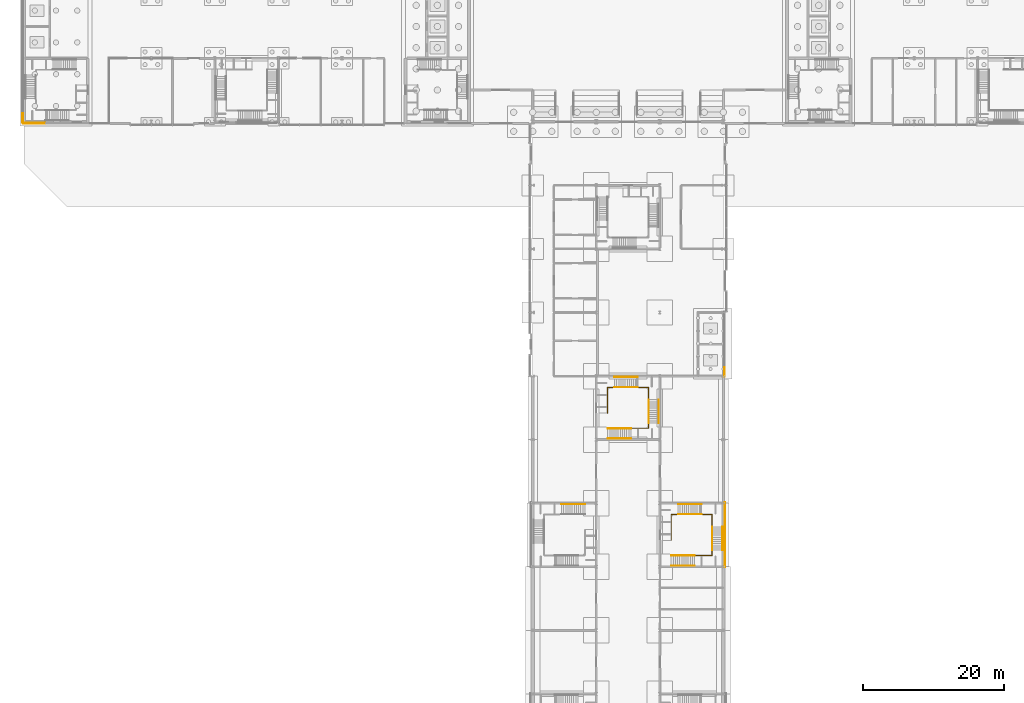
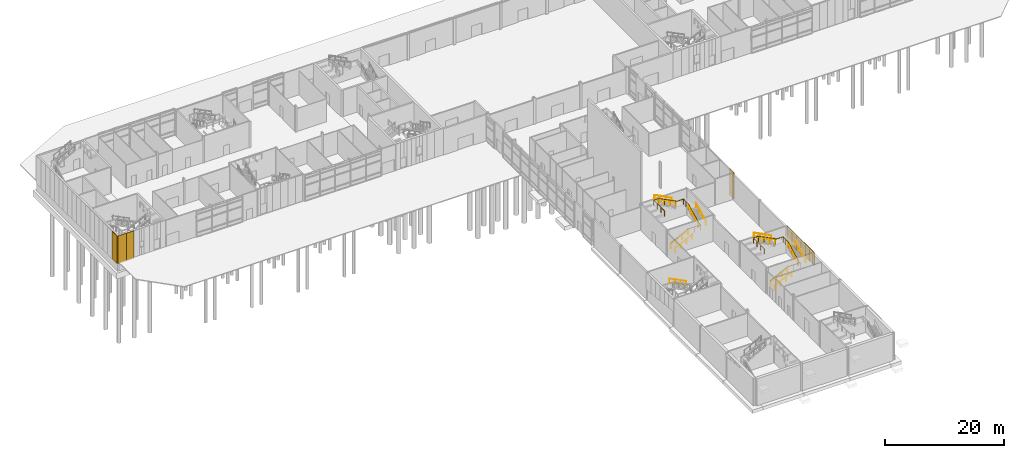
# One storey, part 38 of 45: 15 railings, 10 coverings.
"""IFC4 building model written with IfcOpenShell, lengths in metres."""

from ifc_helpers import new_model, si_unit, direction, frame, origin, origin_2d, place, context, subcontext, project, spatial, rectangle, circle, extrude, material, layer, layer_set, type_object, element, save


model = new_model("IFC4")

# Units and contexts
model_context = context("Model", 3, precision=1e-05, world=origin(), true_north=direction((0.0, 1.0)))
body_context = subcontext(model_context, "Body", "Model", "MODEL_VIEW")
ifc_project = project(units=[si_unit("LENGTHUNIT", "METRE"), si_unit("AREAUNIT", "SQUARE_METRE"), si_unit("VOLUMEUNIT", "CUBIC_METRE"), si_unit("PLANEANGLEUNIT", "RADIAN"), si_unit("MASSUNIT", "GRAM", prefix="KILO")], contexts=[model_context])

# Site, building, storey
site_placement = place(None, origin())
site = spatial("IfcSite", under=ifc_project, at=site_placement, CompositionType="ELEMENT")
building_placement = place(site_placement, origin())
building = spatial("IfcBuilding", under=site, at=building_placement, Name="Azimuth Sports and Learning Centre", CompositionType="ELEMENT")
storey_placement = place(building_placement, origin())
storey = spatial("IfcBuildingStorey", under=building, at=storey_placement, Name="L00", CompositionType="ELEMENT", Elevation=0.0)

# Coverings
ifc_material_1 = material(Name="Cladding panel")
ifc_layer = layer(ifc_material_1, 0.10009765625)
ifc_layer_set = layer_set([ifc_layer], Name="Cladding panel")
covering_type = type_object("IfcCoveringType", Name="Cladding panel 100", PredefinedType="CLADDING", material=ifc_layer_set)
covering_1_placement = place(storey_placement, frame((0.675048828125, 89.800048828125, -0.2998046875), z_axis=(0.0, 0.0, 1.0), x_axis=(1.0, 0.0, 0.0)))
element("IfcCovering", 1, at=covering_1_placement, inside=storey, type_object=covering_type, Name="Cladding panel S-END W L00 1", PredefinedType="CLADDING", context=body_context, shape_type="SweptSolid", body=[
    extrude(rectangle(XDim=1.64990234375, YDim=0.10009765625, at=origin_2d()), origin(), (0.0, 0.0, 1.0), 5.699951171875),
])
covering_2_placement = place(storey_placement, frame((2.25, 89.800048828125, -0.2998046875), z_axis=(0.0, 0.0, 1.0), x_axis=(1.0, 0.0, 0.0)))
element("IfcCovering", 2, at=covering_2_placement, inside=storey, type_object=covering_type, Name="Cladding panel S-END W L00 2", PredefinedType="CLADDING", context=body_context, shape_type="SweptSolid", body=[
    extrude(rectangle(XDim=1.5, YDim=0.10009765625, at=origin_2d()), origin(), (0.0, 0.0, 1.0), 5.699951171875),
])
covering_3_placement = place(storey_placement, frame((99.22509765625, 27.699951171875, 2.7099609375), z_axis=(0.0, 0.0, 1.0), x_axis=(0.0, 1.0, 0.0)))
element("IfcCovering", 3, at=covering_3_placement, inside=storey, type_object=covering_type, Name="Cladding panel E-ST4 L00 1", PredefinedType="CLADDING", context=body_context, shape_type="SweptSolid", body=[
    extrude(rectangle(XDim=1.60009765625, YDim=0.10009765625, at=origin_2d()), origin(), (0.0, 0.0, 1.0), 2.5400390625),
])
covering_4_placement = place(storey_placement, frame((99.22509765625, 29.25, 2.5498046875), z_axis=(0.0, 0.0, 1.0), x_axis=(0.0, 1.0, 0.0)))
element("IfcCovering", 4, at=covering_4_placement, inside=storey, type_object=covering_type, Name="Cladding panel E-ST4 L00 2", PredefinedType="CLADDING", context=body_context, shape_type="SweptSolid", body=[
    extrude(rectangle(XDim=1.5, YDim=0.10009765625, at=origin_2d()), origin(), (0.0, 0.0, 1.0), 2.699951171875),
])
covering_5_placement = place(storey_placement, frame((99.22509765625, 30.75, 2.39990234375), z_axis=(0.0, 0.0, 1.0), x_axis=(0.0, 1.0, 0.0)))
element("IfcCovering", 5, at=covering_5_placement, inside=storey, type_object=covering_type, Name="Cladding panel E-ST4 L00 3", PredefinedType="CLADDING", context=body_context, shape_type="SweptSolid", body=[
    extrude(rectangle(XDim=1.5, YDim=0.10009765625, at=origin_2d()), origin(), (0.0, 0.0, 1.0), 2.85009765625),
])
covering_6_placement = place(storey_placement, frame((99.22509765625, 32.25, 2.25), z_axis=(0.0, 0.0, 1.0), x_axis=(0.0, 1.0, 0.0)))
element("IfcCovering", 6, at=covering_6_placement, inside=storey, type_object=covering_type, Name="Cladding panel E-ST4 L00 4", PredefinedType="CLADDING", context=body_context, shape_type="SweptSolid", body=[
    extrude(rectangle(XDim=1.5, YDim=0.10009765625, at=origin_2d()), origin(), (0.0, 0.0, 1.0), 3.0),
])
covering_7_placement = place(storey_placement, frame((99.22509765625, 33.75, 2.10009765625), z_axis=(0.0, 0.0, 1.0), x_axis=(0.0, 1.0, 0.0)))
element("IfcCovering", 7, at=covering_7_placement, inside=storey, type_object=covering_type, Name="Cladding panel E-ST4 L00 5", PredefinedType="CLADDING", context=body_context, shape_type="SweptSolid", body=[
    extrude(rectangle(XDim=1.5, YDim=0.10009765625, at=origin_2d()), origin(), (0.0, 0.0, 1.0), 3.14990234375),
])
covering_8_placement = place(storey_placement, frame((99.22509765625, 35.300048828125, 1.9501953125), z_axis=(0.0, 0.0, 1.0), x_axis=(0.0, 1.0, 0.0)))
element("IfcCovering", 8, at=covering_8_placement, inside=storey, type_object=covering_type, Name="Cladding panel E-ST4 L00 6", PredefinedType="CLADDING", context=body_context, shape_type="SweptSolid", body=[
    extrude(rectangle(XDim=1.60009765625, YDim=0.10009765625, at=origin_2d()), origin(), (0.0, 0.0, 1.0), 3.300048828125),
])
covering_9_placement = place(storey_placement, frame((99.14990234375, 54.699951171875, 0.0), z_axis=(0.0, 0.0, 1.0), x_axis=(0.0, 1.0, 0.0)))
element("IfcCovering", 9, at=covering_9_placement, inside=storey, type_object=covering_type, Name="Cladding panel E-STL L00 1", PredefinedType="CLADDING", context=body_context, shape_type="SweptSolid", body=[
    extrude(rectangle(XDim=1.60009765625, YDim=0.10009765625, at=origin_2d()), origin(), (0.0, 0.0, 1.0), 5.39990234375),
])
covering_10_placement = place(storey_placement, frame((-0.199951171875, 90.675048828125, -0.2998046875), z_axis=(0.0, 0.0, 1.0), x_axis=(0.0, -1.0, 0.0)))
element("IfcCovering", 10, at=covering_10_placement, inside=storey, type_object=covering_type, Name="Cladding panel W-END W L00 18", PredefinedType="CLADDING", context=body_context, shape_type="SweptSolid", body=[
    extrude(rectangle(XDim=1.64990234375, YDim=0.10009765625, at=origin_2d()), origin(), (0.0, 0.0, 1.0), 5.699951171875),
])

# Railings
ifc_material_2 = material(Name="Stainless steel", Category="steel")
railing_type_1 = type_object("IfcRailingType", Name="Stair guard 1100", PredefinedType="GUARDRAIL", material=ifc_material_2)
railing_1_placement = place(storey_placement, frame((91.610107421875, 28.610107421875, 0.14990234375)))
element("IfcRailing", 11, at=railing_1_placement, inside=storey, type_object=railing_type_1, Name="Guard ST4 L00 well", PredefinedType="GUARDRAIL", context=body_context, shape_type="SweptSolid", body=[
    extrude(circle(Radius=0.02392578125, at=origin_2d()), frame((0.0, 0.0, 1.076171875), z_axis=(0.894400720042, 0.0, 0.447266533499), x_axis=(0.0, 1.0, 0.0)), (0.0, 0.0, 1.0), 3.689453125),
    extrude(circle(Radius=0.02392578125, at=origin_2d()), frame((3.2998046875, 0.0, 2.72607421875), z_axis=(1.0, 0.0, 0.0), x_axis=(0.0, 1.0, 0.0)), (0.0, 0.0, 1.0), 2.47998046875),
    extrude(circle(Radius=0.02392578125, at=origin_2d()), frame((5.77978515625, 0.0, 2.72607421875), z_axis=(0.0, 1.0, 0.0), x_axis=(-1.0, 0.0, 0.0)), (0.0, 0.0, 1.0), 0.75),
    extrude(circle(Radius=0.02392578125, at=origin_2d()), frame((5.77978515625, 0.75, 2.72607421875), z_axis=(0.0, 0.0, 1.0), x_axis=(1.0, 0.0, 0.0)), (0.0, 0.0, 1.0), 0.14990234375),
    extrude(circle(Radius=0.02392578125, at=origin_2d()), frame((5.77978515625, 0.75, 2.8759765625), z_axis=(0.0, 0.894400720042, 0.447266533499), x_axis=(-1.0, 0.0, 0.0)), (0.0, 0.0, 1.0), 3.689453125),
    extrude(circle(Radius=0.02392578125, at=origin_2d()), frame((5.77978515625, 4.0498046875, 4.5263671875), z_axis=(0.0, 1.0, 0.0), x_axis=(-1.0, 0.0, 0.0)), (0.0, 0.0, 1.0), 1.72998046875),
    extrude(circle(Radius=0.02392578125, at=origin_2d()), frame((5.77978515625, 5.77978515625, 4.5263671875), z_axis=(-1.0, 0.0, 0.0), x_axis=(0.0, -1.0, 0.0)), (0.0, 0.0, 1.0), 1.5),
    extrude(circle(Radius=0.02392578125, at=origin_2d()), frame((4.27978515625, 5.77978515625, 4.5263671875), z_axis=(0.0, 0.0, 1.0), x_axis=(1.0, 0.0, 0.0)), (0.0, 0.0, 1.0), 0.14990234375),
    extrude(circle(Radius=0.02392578125, at=origin_2d()), frame((4.27978515625, 5.77978515625, 4.67626953125), z_axis=(-0.894427191, 0.0, 0.4472135955), x_axis=(0.0, -1.0, 0.0)), (0.0, 0.0, 1.0), 3.689208984375),
    extrude(circle(Radius=0.02392578125, at=origin_2d()), frame((0.97998046875, 5.77978515625, 6.326171875), z_axis=(-1.0, 0.0, 0.0), x_axis=(0.0, -1.0, 0.0)), (0.0, 0.0, 1.0), 0.97998046875),
    extrude(circle(Radius=0.02392578125, at=origin_2d()), frame((0.0, 5.77978515625, 6.326171875), z_axis=(0.0, -1.0, 0.0), x_axis=(1.0, 0.0, 0.0)), (0.0, 0.0, 1.0), 3.639892578125),
    extrude(circle(Radius=0.01611328125, at=origin_2d()), origin(), (0.0, 0.0, 1.0), 1.052001953125),
    extrude(circle(Radius=0.01611328125, at=origin_2d()), frame((1.099853515625, 0.0, 0.550048828125)), (0.0, 0.0, 1.0), 1.052001953125),
    extrude(circle(Radius=0.01611328125, at=origin_2d()), frame((2.199951171875, 0.0, 1.10009765625)), (0.0, 0.0, 1.0), 1.052001953125),
    extrude(circle(Radius=0.01611328125, at=origin_2d()), frame((3.2998046875, 0.0, 1.650146484375)), (0.0, 0.0, 1.0), 1.052001953125),
    extrude(circle(Radius=0.01611328125, at=origin_2d()), frame((4.539794921875, 0.0, 1.650146484375)), (0.0, 0.0, 1.0), 1.052001953125),
    extrude(circle(Radius=0.01611328125, at=origin_2d()), frame((5.77978515625, 0.0, 1.650146484375)), (0.0, 0.0, 1.0), 1.052001953125),
    extrude(circle(Radius=0.01611328125, at=origin_2d()), frame((5.77978515625, 0.75, 1.650146484375)), (0.0, 0.0, 1.0), 1.052001953125),
    extrude(circle(Radius=0.01611328125, at=origin_2d()), frame((5.77978515625, 0.75, 1.800048828125)), (0.0, 0.0, 1.0), 1.052001953125),
    extrude(circle(Radius=0.01611328125, at=origin_2d()), frame((5.77978515625, 1.849853515625, 2.35009765625)), (0.0, 0.0, 1.0), 1.052001953125),
    extrude(circle(Radius=0.01611328125, at=origin_2d()), frame((5.77978515625, 2.949951171875, 2.900146484375)), (0.0, 0.0, 1.0), 1.052001953125),
    extrude(circle(Radius=0.01611328125, at=origin_2d()), frame((5.77978515625, 4.0498046875, 3.4501953125)), (0.0, 0.0, 1.0), 1.052001953125),
    extrude(circle(Radius=0.01611328125, at=origin_2d()), frame((5.77978515625, 4.914794921875, 3.4501953125)), (0.0, 0.0, 1.0), 1.052001953125),
    extrude(circle(Radius=0.01611328125, at=origin_2d()), frame((5.77978515625, 5.77978515625, 3.4501953125)), (0.0, 0.0, 1.0), 1.052001953125),
    extrude(circle(Radius=0.01611328125, at=origin_2d()), frame((4.27978515625, 5.77978515625, 3.4501953125)), (0.0, 0.0, 1.0), 1.052001953125),
    extrude(circle(Radius=0.01611328125, at=origin_2d()), frame((4.27978515625, 5.77978515625, 3.60009765625)), (0.0, 0.0, 1.0), 1.052001953125),
    extrude(circle(Radius=0.01611328125, at=origin_2d()), frame((3.179931640625, 5.77978515625, 4.150146484375)), (0.0, 0.0, 1.0), 1.052001953125),
    extrude(circle(Radius=0.01611328125, at=origin_2d()), frame((2.079833984375, 5.77978515625, 4.699951171875)), (0.0, 0.0, 1.0), 1.052001953125),
    extrude(circle(Radius=0.01611328125, at=origin_2d()), frame((0.97998046875, 5.77978515625, 5.25)), (0.0, 0.0, 1.0), 1.052001953125),
    extrude(circle(Radius=0.01611328125, at=origin_2d()), frame((0.0, 5.77978515625, 5.25)), (0.0, 0.0, 1.0), 1.052001953125),
    extrude(circle(Radius=0.01611328125, at=origin_2d()), frame((0.0, 4.56640625, 5.25)), (0.0, 0.0, 1.0), 1.052001953125),
    extrude(circle(Radius=0.01611328125, at=origin_2d()), frame((0.0, 3.353271484375, 5.25)), (0.0, 0.0, 1.0), 1.052001953125),
    extrude(circle(Radius=0.01611328125, at=origin_2d()), frame((0.0, 2.139892578125, 5.25)), (0.0, 0.0, 1.0), 1.052001953125),
])
railing_2_placement = place(storey_placement, frame((82.610107421875, 46.610107421875, 0.14990234375)))
element("IfcRailing", 12, at=railing_2_placement, inside=storey, type_object=railing_type_1, Name="Guard STC L00 well", PredefinedType="GUARDRAIL", context=body_context, shape_type="SweptSolid", body=[
    extrude(circle(Radius=0.02392578125, at=origin_2d()), frame((0.0, 0.0, 1.076171875), z_axis=(0.894400720042, 0.0, 0.447266533499), x_axis=(0.0, 1.0, 0.0)), (0.0, 0.0, 1.0), 3.689453125),
    extrude(circle(Radius=0.02392578125, at=origin_2d()), frame((3.2998046875, 0.0, 2.72607421875), z_axis=(1.0, 0.0, 0.0), x_axis=(0.0, 1.0, 0.0)), (0.0, 0.0, 1.0), 2.47998046875),
    extrude(circle(Radius=0.02392578125, at=origin_2d()), frame((5.77978515625, 0.0, 2.72607421875), z_axis=(0.0, 1.0, 0.0), x_axis=(-1.0, 0.0, 0.0)), (0.0, 0.0, 1.0), 0.75),
    extrude(circle(Radius=0.02392578125, at=origin_2d()), frame((5.77978515625, 0.75, 2.72607421875), z_axis=(0.0, 0.0, 1.0), x_axis=(1.0, 0.0, 0.0)), (0.0, 0.0, 1.0), 0.14990234375),
    extrude(circle(Radius=0.02392578125, at=origin_2d()), frame((5.77978515625, 0.75, 2.8759765625), z_axis=(0.0, 0.894400720042, 0.447266533499), x_axis=(-1.0, 0.0, 0.0)), (0.0, 0.0, 1.0), 3.689453125),
    extrude(circle(Radius=0.02392578125, at=origin_2d()), frame((5.77978515625, 4.0498046875, 4.5263671875), z_axis=(0.0, 1.0, 0.0), x_axis=(-1.0, 0.0, 0.0)), (0.0, 0.0, 1.0), 1.72998046875),
    extrude(circle(Radius=0.02392578125, at=origin_2d()), frame((5.77978515625, 5.77978515625, 4.5263671875), z_axis=(-1.0, 0.0, 0.0), x_axis=(0.0, -1.0, 0.0)), (0.0, 0.0, 1.0), 1.5),
    extrude(circle(Radius=0.02392578125, at=origin_2d()), frame((4.27978515625, 5.77978515625, 4.5263671875), z_axis=(0.0, 0.0, 1.0), x_axis=(1.0, 0.0, 0.0)), (0.0, 0.0, 1.0), 0.14990234375),
    extrude(circle(Radius=0.02392578125, at=origin_2d()), frame((4.27978515625, 5.77978515625, 4.67626953125), z_axis=(-0.894427191, 0.0, 0.4472135955), x_axis=(0.0, -1.0, 0.0)), (0.0, 0.0, 1.0), 3.689208984375),
    extrude(circle(Radius=0.02392578125, at=origin_2d()), frame((0.97998046875, 5.77978515625, 6.326171875), z_axis=(-1.0, 0.0, 0.0), x_axis=(0.0, -1.0, 0.0)), (0.0, 0.0, 1.0), 0.97998046875),
    extrude(circle(Radius=0.02392578125, at=origin_2d()), frame((0.0, 5.77978515625, 6.326171875), z_axis=(0.0, -1.0, 0.0), x_axis=(1.0, 0.0, 0.0)), (0.0, 0.0, 1.0), 3.639892578125),
    extrude(circle(Radius=0.01611328125, at=origin_2d()), origin(), (0.0, 0.0, 1.0), 1.052001953125),
    extrude(circle(Radius=0.01611328125, at=origin_2d()), frame((1.099853515625, 0.0, 0.550048828125)), (0.0, 0.0, 1.0), 1.052001953125),
    extrude(circle(Radius=0.01611328125, at=origin_2d()), frame((2.199951171875, 0.0, 1.10009765625)), (0.0, 0.0, 1.0), 1.052001953125),
    extrude(circle(Radius=0.01611328125, at=origin_2d()), frame((3.2998046875, 0.0, 1.650146484375)), (0.0, 0.0, 1.0), 1.052001953125),
    extrude(circle(Radius=0.01611328125, at=origin_2d()), frame((4.539794921875, 0.0, 1.650146484375)), (0.0, 0.0, 1.0), 1.052001953125),
    extrude(circle(Radius=0.01611328125, at=origin_2d()), frame((5.77978515625, 0.0, 1.650146484375)), (0.0, 0.0, 1.0), 1.052001953125),
    extrude(circle(Radius=0.01611328125, at=origin_2d()), frame((5.77978515625, 0.75, 1.650146484375)), (0.0, 0.0, 1.0), 1.052001953125),
    extrude(circle(Radius=0.01611328125, at=origin_2d()), frame((5.77978515625, 0.75, 1.800048828125)), (0.0, 0.0, 1.0), 1.052001953125),
    extrude(circle(Radius=0.01611328125, at=origin_2d()), frame((5.77978515625, 1.849853515625, 2.35009765625)), (0.0, 0.0, 1.0), 1.052001953125),
    extrude(circle(Radius=0.01611328125, at=origin_2d()), frame((5.77978515625, 2.949951171875, 2.900146484375)), (0.0, 0.0, 1.0), 1.052001953125),
    extrude(circle(Radius=0.01611328125, at=origin_2d()), frame((5.77978515625, 4.0498046875, 3.4501953125)), (0.0, 0.0, 1.0), 1.052001953125),
    extrude(circle(Radius=0.01611328125, at=origin_2d()), frame((5.77978515625, 4.914794921875, 3.4501953125)), (0.0, 0.0, 1.0), 1.052001953125),
    extrude(circle(Radius=0.01611328125, at=origin_2d()), frame((5.77978515625, 5.77978515625, 3.4501953125)), (0.0, 0.0, 1.0), 1.052001953125),
    extrude(circle(Radius=0.01611328125, at=origin_2d()), frame((4.27978515625, 5.77978515625, 3.4501953125)), (0.0, 0.0, 1.0), 1.052001953125),
    extrude(circle(Radius=0.01611328125, at=origin_2d()), frame((4.27978515625, 5.77978515625, 3.60009765625)), (0.0, 0.0, 1.0), 1.052001953125),
    extrude(circle(Radius=0.01611328125, at=origin_2d()), frame((3.179931640625, 5.77978515625, 4.150146484375)), (0.0, 0.0, 1.0), 1.052001953125),
    extrude(circle(Radius=0.01611328125, at=origin_2d()), frame((2.079833984375, 5.77978515625, 4.699951171875)), (0.0, 0.0, 1.0), 1.052001953125),
    extrude(circle(Radius=0.01611328125, at=origin_2d()), frame((0.97998046875, 5.77978515625, 5.25)), (0.0, 0.0, 1.0), 1.052001953125),
    extrude(circle(Radius=0.01611328125, at=origin_2d()), frame((0.0, 5.77978515625, 5.25)), (0.0, 0.0, 1.0), 1.052001953125),
    extrude(circle(Radius=0.01611328125, at=origin_2d()), frame((0.0, 4.56640625, 5.25)), (0.0, 0.0, 1.0), 1.052001953125),
    extrude(circle(Radius=0.01611328125, at=origin_2d()), frame((0.0, 3.353271484375, 5.25)), (0.0, 0.0, 1.0), 1.052001953125),
    extrude(circle(Radius=0.01611328125, at=origin_2d()), frame((0.0, 2.139892578125, 5.25)), (0.0, 0.0, 1.0), 1.052001953125),
])
ifc_material_3 = material(Name="Stainless steel", Category="steel")
railing_type_2 = type_object("IfcRailingType", Name="Stair handrail 42", PredefinedType="HANDRAIL", material=ifc_material_3)
railing_3_placement = place(storey_placement, frame((79.389892578125, 35.860107421875, 0.14990234375)))
element("IfcRailing", 13, at=railing_3_placement, inside=storey, type_object=railing_type_2, Name="Handrail ST3 L00 flight 1 outer", PredefinedType="HANDRAIL", context=body_context, shape_type="SweptSolid", body=[
    extrude(circle(Radius=0.02099609375, at=origin_2d()), frame((0.0, 0.0, 0.87890625), z_axis=(-0.894400720042, 0.0, 0.447266533499), x_axis=(0.0, -1.0, 0.0)), (0.0, 0.0, 1.0), 3.689453125),
    extrude(circle(Radius=0.01611328125, at=origin_2d()), origin(), (0.0, 0.0, 1.0), 0.85791015625),
    extrude(circle(Radius=0.01611328125, at=origin_2d()), frame((-1.099853515625, 0.0, 0.550048828125)), (0.0, 0.0, 1.0), 0.85791015625),
    extrude(circle(Radius=0.01611328125, at=origin_2d()), frame((-2.199951171875, 0.0, 1.10009765625)), (0.0, 0.0, 1.0), 0.85791015625),
    extrude(circle(Radius=0.01611328125, at=origin_2d()), frame((-3.2998046875, 0.0, 1.650146484375)), (0.0, 0.0, 1.0), 0.85791015625),
])
for number, where, name in (
    (14, (91.610107421875, 28.580078125, 0.14990234375), "Handrail ST4 L00 flight 1 inner"),
    (15, (91.610107421875, 27.139892578125, 0.14990234375), "Handrail ST4 L00 flight 1 outer"),
):
    element("IfcRailing", number, at=place(storey_placement, frame(where)), inside=storey, type_object=railing_type_2, Name=name, PredefinedType="HANDRAIL", context=body_context, shape_type="SweptSolid", body=[
        extrude(circle(Radius=0.02099609375, at=origin_2d()), frame((0.0, 0.0, 0.87890625), z_axis=(0.894400720042, 0.0, 0.447266533499), x_axis=(0.0, 1.0, 0.0)), (0.0, 0.0, 1.0), 3.689453125),
        extrude(circle(Radius=0.01611328125, at=origin_2d()), origin(), (0.0, 0.0, 1.0), 0.85791015625),
        extrude(circle(Radius=0.01611328125, at=origin_2d()), frame((1.099853515625, 0.0, 0.550048828125)), (0.0, 0.0, 1.0), 0.85791015625),
        extrude(circle(Radius=0.01611328125, at=origin_2d()), frame((2.199951171875, 0.0, 1.10009765625)), (0.0, 0.0, 1.0), 0.85791015625),
        extrude(circle(Radius=0.01611328125, at=origin_2d()), frame((3.2998046875, 0.0, 1.650146484375)), (0.0, 0.0, 1.0), 0.85791015625),
    ])
for number, where, name in (
    (16, (97.419921875, 29.360107421875, 1.949951171875), "Handrail ST4 L00 flight 2 inner"),
    (17, (98.860107421875, 29.360107421875, 1.949951171875), "Handrail ST4 L00 flight 2 outer"),
):
    element("IfcRailing", number, at=place(storey_placement, frame(where)), inside=storey, type_object=railing_type_2, Name=name, PredefinedType="HANDRAIL", context=body_context, shape_type="SweptSolid", body=[
        extrude(circle(Radius=0.02099609375, at=origin_2d()), frame((0.0, 0.0, 0.87890625), z_axis=(0.0, 0.894400720042, 0.447266533499), x_axis=(-1.0, 0.0, 0.0)), (0.0, 0.0, 1.0), 3.689453125),
        extrude(circle(Radius=0.01611328125, at=origin_2d()), origin(), (0.0, 0.0, 1.0), 0.85791015625),
        extrude(circle(Radius=0.01611328125, at=origin_2d()), frame((0.0, 1.099853515625, 0.550048828125)), (0.0, 0.0, 1.0), 0.85791015625),
        extrude(circle(Radius=0.01611328125, at=origin_2d()), frame((0.0, 2.199951171875, 1.10009765625)), (0.0, 0.0, 1.0), 0.85791015625),
        extrude(circle(Radius=0.01611328125, at=origin_2d()), frame((0.0, 3.2998046875, 1.650146484375)), (0.0, 0.0, 1.0), 0.85791015625),
    ])
for number, where, name in (
    (18, (95.889892578125, 34.419921875, 3.75), "Handrail ST4 L00 flight 3 inner"),
    (19, (95.889892578125, 35.860107421875, 3.75), "Handrail ST4 L00 flight 3 outer"),
):
    element("IfcRailing", number, at=place(storey_placement, frame(where)), inside=storey, type_object=railing_type_2, Name=name, PredefinedType="HANDRAIL", context=body_context, shape_type="SweptSolid", body=[
        extrude(circle(Radius=0.02099609375, at=origin_2d()), frame((0.0, 0.0, 0.87890625), z_axis=(-0.894427191, 0.0, 0.4472135955), x_axis=(0.0, -1.0, 0.0)), (0.0, 0.0, 1.0), 3.689208984375),
        extrude(circle(Radius=0.01611328125, at=origin_2d()), origin(), (0.0, 0.0, 1.0), 0.85791015625),
        extrude(circle(Radius=0.01611328125, at=origin_2d()), frame((-1.099853515625, 0.0, 0.550048828125)), (0.0, 0.0, 1.0), 0.85791015625),
        extrude(circle(Radius=0.01611328125, at=origin_2d()), frame((-2.199951171875, 0.0, 1.099853515625)), (0.0, 0.0, 1.0), 0.85791015625),
        extrude(circle(Radius=0.01611328125, at=origin_2d()), frame((-3.2998046875, 0.0, 1.64990234375)), (0.0, 0.0, 1.0), 0.85791015625),
    ])
for number, where, name in (
    (20, (82.610107421875, 46.580078125, 0.14990234375), "Handrail STC L00 flight 1 inner"),
    (21, (82.610107421875, 45.139892578125, 0.14990234375), "Handrail STC L00 flight 1 outer"),
):
    element("IfcRailing", number, at=place(storey_placement, frame(where)), inside=storey, type_object=railing_type_2, Name=name, PredefinedType="HANDRAIL", context=body_context, shape_type="SweptSolid", body=[
        extrude(circle(Radius=0.02099609375, at=origin_2d()), frame((0.0, 0.0, 0.87890625), z_axis=(0.894400720042, 0.0, 0.447266533499), x_axis=(0.0, 1.0, 0.0)), (0.0, 0.0, 1.0), 3.689453125),
        extrude(circle(Radius=0.01611328125, at=origin_2d()), origin(), (0.0, 0.0, 1.0), 0.85791015625),
        extrude(circle(Radius=0.01611328125, at=origin_2d()), frame((1.099853515625, 0.0, 0.550048828125)), (0.0, 0.0, 1.0), 0.85791015625),
        extrude(circle(Radius=0.01611328125, at=origin_2d()), frame((2.199951171875, 0.0, 1.10009765625)), (0.0, 0.0, 1.0), 0.85791015625),
        extrude(circle(Radius=0.01611328125, at=origin_2d()), frame((3.2998046875, 0.0, 1.650146484375)), (0.0, 0.0, 1.0), 0.85791015625),
    ])
for number, where, name in (
    (22, (88.419921875, 47.360107421875, 1.949951171875), "Handrail STC L00 flight 2 inner"),
    (23, (89.860107421875, 47.360107421875, 1.949951171875), "Handrail STC L00 flight 2 outer"),
):
    element("IfcRailing", number, at=place(storey_placement, frame(where)), inside=storey, type_object=railing_type_2, Name=name, PredefinedType="HANDRAIL", context=body_context, shape_type="SweptSolid", body=[
        extrude(circle(Radius=0.02099609375, at=origin_2d()), frame((0.0, 0.0, 0.87890625), z_axis=(0.0, 0.894400720042, 0.447266533499), x_axis=(-1.0, 0.0, 0.0)), (0.0, 0.0, 1.0), 3.689453125),
        extrude(circle(Radius=0.01611328125, at=origin_2d()), origin(), (0.0, 0.0, 1.0), 0.85791015625),
        extrude(circle(Radius=0.01611328125, at=origin_2d()), frame((0.0, 1.099853515625, 0.550048828125)), (0.0, 0.0, 1.0), 0.85791015625),
        extrude(circle(Radius=0.01611328125, at=origin_2d()), frame((0.0, 2.199951171875, 1.10009765625)), (0.0, 0.0, 1.0), 0.85791015625),
        extrude(circle(Radius=0.01611328125, at=origin_2d()), frame((0.0, 3.2998046875, 1.650146484375)), (0.0, 0.0, 1.0), 0.85791015625),
    ])
for number, where, name in (
    (24, (86.889892578125, 52.419921875, 3.75), "Handrail STC L00 flight 3 inner"),
    (25, (86.889892578125, 53.860107421875, 3.75), "Handrail STC L00 flight 3 outer"),
):
    element("IfcRailing", number, at=place(storey_placement, frame(where)), inside=storey, type_object=railing_type_2, Name=name, PredefinedType="HANDRAIL", context=body_context, shape_type="SweptSolid", body=[
        extrude(circle(Radius=0.02099609375, at=origin_2d()), frame((0.0, 0.0, 0.87890625), z_axis=(-0.894427191, 0.0, 0.4472135955), x_axis=(0.0, -1.0, 0.0)), (0.0, 0.0, 1.0), 3.689208984375),
        extrude(circle(Radius=0.01611328125, at=origin_2d()), origin(), (0.0, 0.0, 1.0), 0.85791015625),
        extrude(circle(Radius=0.01611328125, at=origin_2d()), frame((-1.099853515625, 0.0, 0.550048828125)), (0.0, 0.0, 1.0), 0.85791015625),
        extrude(circle(Radius=0.01611328125, at=origin_2d()), frame((-2.199951171875, 0.0, 1.099853515625)), (0.0, 0.0, 1.0), 0.85791015625),
        extrude(circle(Radius=0.01611328125, at=origin_2d()), frame((-3.2998046875, 0.0, 1.64990234375)), (0.0, 0.0, 1.0), 0.85791015625),
    ])

save(model, "model.ifc")
